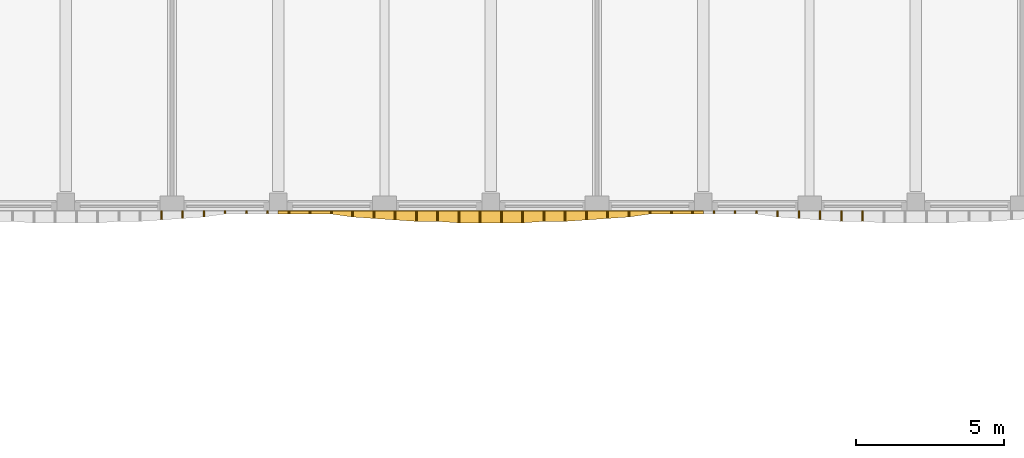
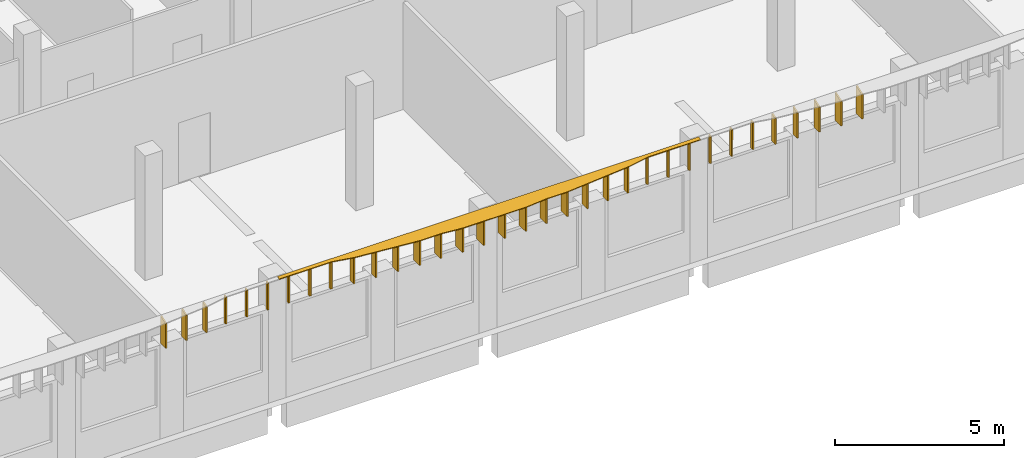
# One storey, part 34 of 44: 35 shading devices.
"""IFC4 building model written with IfcOpenShell, lengths in metres."""

from ifc_helpers import new_model, si_unit, direction, frame, origin, place, context, subcontext, project, spatial, polyline, outline, extrude, material, layer, layer_set, type_object, element, save


model = new_model("IFC4")

# Units and contexts
model_context = context("Model", 3, precision=1e-05, world=origin(), true_north=direction((0.0, 1.0)))
body_context = subcontext(model_context, "Body", "Model", "MODEL_VIEW")
ifc_project = project(units=[si_unit("LENGTHUNIT", "METRE"), si_unit("AREAUNIT", "SQUARE_METRE"), si_unit("VOLUMEUNIT", "CUBIC_METRE"), si_unit("PLANEANGLEUNIT", "RADIAN"), si_unit("MASSUNIT", "GRAM", prefix="KILO")], contexts=[model_context])

# Site, building, storey
site_placement = place(None, origin())
site = spatial("IfcSite", under=ifc_project, at=site_placement, CompositionType="ELEMENT")
building_placement = place(site_placement, origin())
building = spatial("IfcBuilding", under=site, at=building_placement, Name="Ussher Court Research Institute", CompositionType="ELEMENT")
storey_placement = place(building_placement, frame((0.0, 0.0, 18.89990234375)))
storey = spatial("IfcBuildingStorey", under=building, at=storey_placement, Name="L04", CompositionType="ELEMENT", Elevation=18.89990234375)

# Shading devices
ifc_material_1 = material(Name="Bronze anodised aluminium", Category="aluminium")
ifc_layer_1 = layer(ifc_material_1, 0.050048828125)
ifc_layer_set_1 = layer_set([ifc_layer_1], Name="Bronze anodised aluminium")
shading_device_type_1 = type_object("IfcShadingDeviceType", Name="Brim blade 100 mm deep 1000 mm high canted 20 deg dry", PredefinedType="USERDEFINED", material=ifc_layer_set_1)
for number, where, z_axis, x_axis, name in (
    (1, (55.199951171875, 68.39990234375, 3.4501953125), (0.0, 0.0, 1.0), (0.0, -1.0, 0.0), "Brim blade BS17 L04"),
    (2, (54.47998046875, 68.39990234375, 3.4501953125), (0.0, 0.0, 1.0), (0.0, -1.0, 0.0), "Brim blade BS17 L04"),
    (3, (53.760009765625, 68.39990234375, 3.4501953125), (0.0, 0.0, 1.0), (0.0, -1.0, 0.0), "Brim blade BS17 L04"),
    (4, (53.0400390625, 68.39990234375, 3.4501953125), (0.0, 0.0, 1.0), (0.0, -1.0, 0.0), "Brim blade BS17 L04"),
    (5, (52.320068359375, 68.39990234375, 3.4501953125), (0.0, 0.0, 1.0), (0.0, -1.0, 0.0), "Brim blade BS17 L04"),
    (6, (51.60009765625, 68.39990234375, 3.4501953125), (0.0, 0.0, 1.0), (0.0, -1.0, 0.0), "Brim blade BS17 L04"),
    (7, (40.800048828125, 68.39990234375, 3.4501953125), (0.0, 0.0, 1.0), (0.0, -1.0, 0.0), "Brim blade BS17 L04"),
    (8, (40.080078125, 68.39990234375, 3.4501953125), (0.0, 0.0, 1.0), (0.0, -1.0, 0.0), "Brim blade BS17 L04"),
    (9, (39.360107421875, 68.39990234375, 3.4501953125), (0.0, 0.0, 1.0), (0.0, -1.0, 0.0), "Brim blade BS17 L04"),
    (10, (38.639892578125, 68.39990234375, 3.4501953125), (0.0, 0.0, 1.0), (0.0, -1.0, 0.0), "Brim blade BS17 L04"),
    (11, (37.919921875, 68.39990234375, 3.4501953125), (0.0, 0.0, 1.0), (0.0, -1.0, 0.0), "Brim blade BS17 L04"),
    (12, (37.199951171875, 68.39990234375, 3.4501953125), (0.0, 0.0, 1.0), (0.0, -1.0, 0.0), "Brim blade BS17 L04"),
):
    element("IfcShadingDevice", number, at=place(storey_placement, frame(where, z_axis=z_axis, x_axis=x_axis)), inside=storey, type_object=shading_device_type_1, Name=name, ObjectType="BLADE", PredefinedType="USERDEFINED", context=body_context, shape_type="SweptSolid", body=[
        extrude(outline(polyline([(0.0, 0.0), (0.099853515625, 0.0), (0.10009765625, 0.963623046875), (0.0, 1.0), (0.0, 0.0)])), frame((0.0, 0.02490234375, 0.0), z_axis=(0.0, -1.0, 0.0), x_axis=(1.0, 0.0, 0.0)), (0.0, 0.0, 1.0), 0.050048828125),
    ])
ifc_material_2 = material(Name="Bronze anodised aluminium", Category="aluminium")
ifc_layer_2 = layer(ifc_material_2, 0.050048828125)
ifc_layer_set_2 = layer_set([ifc_layer_2], Name="Bronze anodised aluminium")
shading_device_type_2 = type_object("IfcShadingDeviceType", Name="Brim blade 200 mm deep 1000 mm high canted 20 deg dry", PredefinedType="USERDEFINED", material=ifc_layer_set_2)
for number, where, z_axis, x_axis, name in (
    (13, (55.919921875, 68.39990234375, 3.4501953125), (0.0, 0.0, 1.0), (0.0, -1.0, 0.0), "Brim blade BS15 L04"),
    (14, (50.8798828125, 68.39990234375, 3.4501953125), (0.0, 0.0, 1.0), (0.0, -1.0, 0.0), "Brim blade BS15 L04"),
    (15, (41.52001953125, 68.39990234375, 3.4501953125), (0.0, 0.0, 1.0), (0.0, -1.0, 0.0), "Brim blade BS15 L04"),
    (16, (36.47998046875, 68.39990234375, 3.4501953125), (0.0, 0.0, 1.0), (0.0, -1.0, 0.0), "Brim blade BS15 L04"),
):
    element("IfcShadingDevice", number, at=place(storey_placement, frame(where, z_axis=z_axis, x_axis=x_axis)), inside=storey, type_object=shading_device_type_2, Name=name, ObjectType="BLADE", PredefinedType="USERDEFINED", context=body_context, shape_type="SweptSolid", body=[
        extrude(outline(polyline([(0.0, 0.0), (0.199951171875, 0.0), (0.199951171875, 0.927001953125), (0.0, 1.0), (0.0, 0.0)])), frame((0.0, 0.02490234375, 0.0), z_axis=(0.0, -1.0, 0.0), x_axis=(1.0, 0.0, 0.0)), (0.0, 0.0, 1.0), 0.050048828125),
    ])
ifc_material_3 = material(Name="Bronze anodised aluminium", Category="aluminium")
ifc_layer_3 = layer(ifc_material_3, 0.050048828125)
ifc_layer_set_3 = layer_set([ifc_layer_3], Name="Bronze anodised aluminium")
shading_device_type_3 = type_object("IfcShadingDeviceType", Name="Brim blade 250 mm deep 1000 mm high canted 20 deg dry", PredefinedType="USERDEFINED", material=ifc_layer_set_3)
for number, where, z_axis, x_axis, name in (
    (17, (56.639892578125, 68.39990234375, 3.4501953125), (0.0, 0.0, 1.0), (0.0, -1.0, 0.0), "Brim blade BS14 L04"),
    (18, (50.159912109375, 68.39990234375, 3.4501953125), (0.0, 0.0, 1.0), (0.0, -1.0, 0.0), "Brim blade BS14 L04"),
    (19, (42.239990234375, 68.39990234375, 3.4501953125), (0.0, 0.0, 1.0), (0.0, -1.0, 0.0), "Brim blade BS14 L04"),
    (20, (35.760009765625, 68.39990234375, 3.4501953125), (0.0, 0.0, 1.0), (0.0, -1.0, 0.0), "Brim blade BS14 L04"),
):
    element("IfcShadingDevice", number, at=place(storey_placement, frame(where, z_axis=z_axis, x_axis=x_axis)), inside=storey, type_object=shading_device_type_3, Name=name, ObjectType="BLADE", PredefinedType="USERDEFINED", context=body_context, shape_type="SweptSolid", body=[
        extrude(outline(polyline([(0.0, 0.0), (0.25, 0.0), (0.25, 0.908935546875), (0.0, 1.0), (0.0, 0.0)])), frame((0.0, 0.02490234375, 0.0), z_axis=(0.0, -1.0, 0.0), x_axis=(1.0, 0.0, 0.0)), (0.0, 0.0, 1.0), 0.050048828125),
    ])
ifc_material_4 = material(Name="Bronze anodised aluminium", Category="aluminium")
ifc_layer_4 = layer(ifc_material_4, 0.050048828125)
ifc_layer_set_4 = layer_set([ifc_layer_4], Name="Bronze anodised aluminium")
shading_device_type_4 = type_object("IfcShadingDeviceType", Name="Brim blade 300 mm deep 1000 mm high canted 20 deg dry", PredefinedType="USERDEFINED", material=ifc_layer_set_4)
for number, where, z_axis, x_axis, name in (
    (21, (57.360107421875, 68.39990234375, 3.4501953125), (0.0, 0.0, 1.0), (0.0, -1.0, 0.0), "Brim blade BS13 L04"),
    (22, (49.43994140625, 68.39990234375, 3.4501953125), (0.0, 0.0, 1.0), (0.0, -1.0, 0.0), "Brim blade BS13 L04"),
    (23, (42.9599609375, 68.39990234375, 3.4501953125), (0.0, 0.0, 1.0), (0.0, -1.0, 0.0), "Brim blade BS13 L04"),
    (24, (35.0400390625, 68.39990234375, 3.4501953125), (0.0, 0.0, 1.0), (0.0, -1.0, 0.0), "Brim blade BS13 L04"),
):
    element("IfcShadingDevice", number, at=place(storey_placement, frame(where, z_axis=z_axis, x_axis=x_axis)), inside=storey, type_object=shading_device_type_4, Name=name, ObjectType="BLADE", PredefinedType="USERDEFINED", context=body_context, shape_type="SweptSolid", body=[
        extrude(outline(polyline([(0.0, 0.0), (0.2998046875, 0.0), (0.300048828125, 0.890625), (0.0, 1.0), (0.0, 0.0)])), frame((0.0, 0.02490234375, 0.0), z_axis=(0.0, -1.0, 0.0), x_axis=(1.0, 0.0, 0.0)), (0.0, 0.0, 1.0), 0.050048828125),
    ])
ifc_material_5 = material(Name="Bronze anodised aluminium", Category="aluminium")
ifc_layer_5 = layer(ifc_material_5, 0.050048828125)
ifc_layer_set_5 = layer_set([ifc_layer_5], Name="Bronze anodised aluminium")
shading_device_type_5 = type_object("IfcShadingDeviceType", Name="Brim blade 350 mm deep 1000 mm high canted 20 deg dry", PredefinedType="USERDEFINED", material=ifc_layer_set_5)
for number, where, z_axis, x_axis, name in (
    (25, (58.800048828125, 68.39990234375, 3.4501953125), (0.0, 0.0, 1.0), (0.0, -1.0, 0.0), "Brim blade BS12 L04"),
    (26, (58.080078125, 68.39990234375, 3.4501953125), (0.0, 0.0, 1.0), (0.0, -1.0, 0.0), "Brim blade BS12 L04"),
    (27, (48.719970703125, 68.39990234375, 3.4501953125), (0.0, 0.0, 1.0), (0.0, -1.0, 0.0), "Brim blade BS12 L04"),
    (28, (48.0, 68.39990234375, 3.4501953125), (0.0, 0.0, 1.0), (0.0, -1.0, 0.0), "Brim blade BS12 L04"),
    (29, (44.39990234375, 68.39990234375, 3.4501953125), (0.0, 0.0, 1.0), (0.0, -1.0, 0.0), "Brim blade BS12 L04"),
    (30, (43.679931640625, 68.39990234375, 3.4501953125), (0.0, 0.0, 1.0), (0.0, -1.0, 0.0), "Brim blade BS12 L04"),
):
    element("IfcShadingDevice", number, at=place(storey_placement, frame(where, z_axis=z_axis, x_axis=x_axis)), inside=storey, type_object=shading_device_type_5, Name=name, ObjectType="BLADE", PredefinedType="USERDEFINED", context=body_context, shape_type="SweptSolid", body=[
        extrude(outline(polyline([(0.0, 0.0), (0.349853515625, 0.0), (0.35009765625, 0.87255859375), (0.0, 1.0), (0.0, 0.0)])), frame((0.0, 0.02490234375, 0.0), z_axis=(0.0, -1.0, 0.0), x_axis=(1.0, 0.0, 0.0)), (0.0, 0.0, 1.0), 0.050048828125),
    ])
ifc_material_6 = material(Name="Bronze anodised aluminium", Category="aluminium")
ifc_layer_6 = layer(ifc_material_6, 0.050048828125)
ifc_layer_set_6 = layer_set([ifc_layer_6], Name="Bronze anodised aluminium")
shading_device_type_6 = type_object("IfcShadingDeviceType", Name="Brim blade 400 mm deep 1000 mm high canted 20 deg dry", PredefinedType="USERDEFINED", material=ifc_layer_set_6)
for number, where, z_axis, x_axis, name in (
    (31, (47.280029296875, 68.39990234375, 3.4501953125), (0.0, 0.0, 1.0), (0.0, -1.0, 0.0), "Brim blade BS11 L04"),
    (32, (46.56005859375, 68.39990234375, 3.4501953125), (0.0, 0.0, 1.0), (0.0, -1.0, 0.0), "Brim blade BS11 L04"),
    (33, (45.840087890625, 68.39990234375, 3.4501953125), (0.0, 0.0, 1.0), (0.0, -1.0, 0.0), "Brim blade BS11 L04"),
    (34, (45.1201171875, 68.39990234375, 3.4501953125), (0.0, 0.0, 1.0), (0.0, -1.0, 0.0), "Brim blade BS11 L04"),
):
    element("IfcShadingDevice", number, at=place(storey_placement, frame(where, z_axis=z_axis, x_axis=x_axis)), inside=storey, type_object=shading_device_type_6, Name=name, ObjectType="BLADE", PredefinedType="USERDEFINED", context=body_context, shape_type="SweptSolid", body=[
        extrude(outline(polyline([(0.0, 0.0), (0.39990234375, 0.0), (0.39990234375, 0.854248046875), (0.0, 1.0), (0.0, 0.0)])), frame((0.0, 0.02490234375, 0.0), z_axis=(0.0, -1.0, 0.0), x_axis=(1.0, 0.0, 0.0)), (0.0, 0.0, 1.0), 0.050048828125),
    ])
ifc_material_7 = material(Name="Bronze anodised aluminium", Category="aluminium")
ifc_layer_7 = layer(ifc_material_7, 0.0400390625)
ifc_layer_set_7 = layer_set([ifc_layer_7], Name="Bronze anodised aluminium")
shading_device_type_7 = type_object("IfcShadingDeviceType", Name="Brim visor sheet 40 mm canted 20 deg dry", PredefinedType="USERDEFINED", material=ifc_layer_set_7)
shading_device_placement = place(storey_placement, frame((53.39990234375, 68.38623046875, 4.48779296875), z_axis=(0.0, -0.342400477754, 0.939554103197), x_axis=(-1.0, 0.0, 0.0)))
element("IfcShadingDevice", 35, at=shading_device_placement, inside=storey, type_object=shading_device_type_7, Name="Brim visor sheet BR2 L04", ObjectType="BRIM", PredefinedType="USERDEFINED", context=body_context, shape_type="SweptSolid", body=[
    extrude(outline(polyline([(0.0, 0.0), (14.39990234375, 0.0), (14.39990234375, 0.10627326645332352), (14.039794921875, 0.10627326645332352), (13.31982421875, 0.10627326645332352), (12.599853515625, 0.10627326645332352), (11.8798828125, 0.21285951009926202), (11.159912109375, 0.26606903805559207), (10.43994140625, 0.31936215987856126), (9.719970703125, 0.3723423045089156), (9.0, 0.3723423045089156), (8.27978515625, 0.42563542633188484), (7.559814453125, 0.42563542633188484), (6.83984375, 0.42563542633188484), (6.119873046875, 0.42563542633188484), (5.39990234375, 0.3723423045089156), (4.679931640625, 0.3723423045089156), (3.9599609375, 0.31936215987856126), (3.239990234375, 0.26606903805559207), (2.52001953125, 0.21285951009926202), (1.7998046875, 0.10627326645332352), (1.079833984375, 0.10627326645332352), (0.35986328125, 0.10627326645332352), (0.0, 0.10627326645332352), (0.0, 0.0)])), origin(), (0.0, 0.0, -1.0), 0.0400390625),
])

save(model, "model.ifc")
